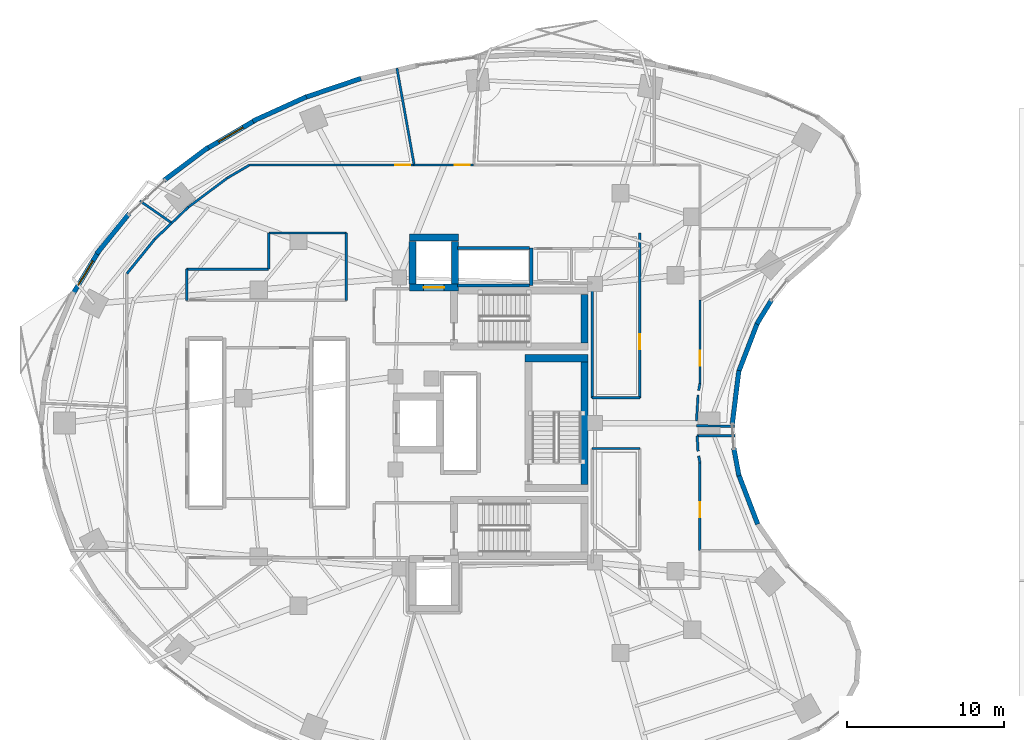
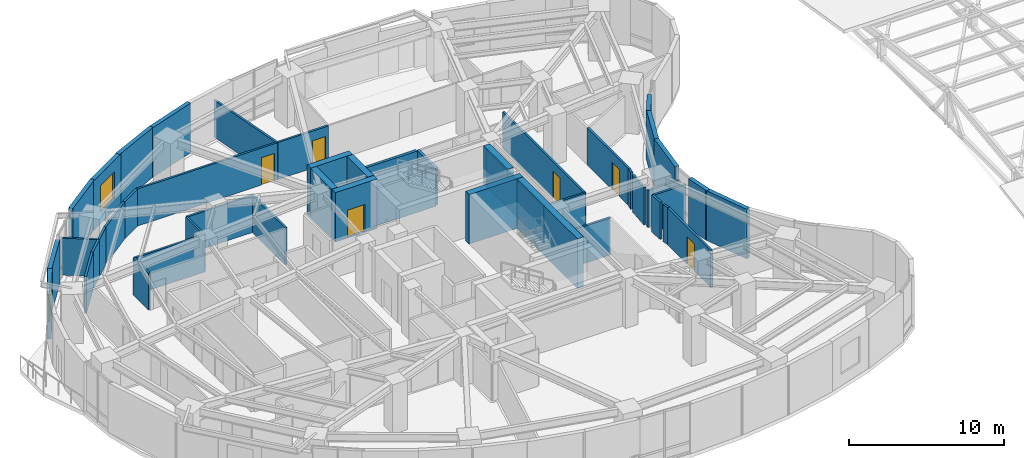
# One storey, part 13 of 17: 47 walls, 6 doors, 2 windows, 8 openings.
"""IFC4 building model written with IfcOpenShell, lengths in metres."""

from ifc_helpers import new_model, si_unit, direction, frame, frame_2d, origin, place, context, subcontext, project, spatial, rectangle, extrude, material, layer, layer_set, type_object, element, fill, save


model = new_model("IFC4")

# Units and contexts
model_context = context("Model", 3, precision=1e-05, world=origin(), true_north=direction((0.0, 1.0)))
body_context = subcontext(model_context, "Body", "Model", "MODEL_VIEW")
ifc_project = project(units=[si_unit("LENGTHUNIT", "METRE"), si_unit("AREAUNIT", "SQUARE_METRE"), si_unit("VOLUMEUNIT", "CUBIC_METRE"), si_unit("PLANEANGLEUNIT", "RADIAN"), si_unit("MASSUNIT", "GRAM", prefix="KILO")], contexts=[model_context])

# Site, building, storey
site_placement = place(None, origin())
site = spatial("IfcSite", under=ifc_project, at=site_placement, CompositionType="ELEMENT")
building_placement = place(site_placement, origin())
building = spatial("IfcBuilding", under=site, at=building_placement, Name="Korentha Bioscience Tower", CompositionType="ELEMENT")
storey_placement = place(building_placement, frame((0.0, 0.0, 25.800048828125)))
storey = spatial("IfcBuildingStorey", under=building, at=storey_placement, Name="L05", CompositionType="ELEMENT", Elevation=25.800048828125)

# Wall, opening, door
ifc_material_1 = material(Name="Double-Stud Acoustic Gypsum", Category="gypsum")
ifc_layer_1 = layer(ifc_material_1, 0.14990234375, Name="Double-Stud Acoustic Gypsum")
ifc_layer_set_1 = layer_set([ifc_layer_1], Name="Double-Stud Acoustic Gypsum (IW-L150)")
wall_type_1 = type_object("IfcWallType", Name="Acoustic Laboratory Partition Wall 150", PredefinedType="PARTITIONING", material=ifc_layer_set_1)
wall_1_placement = place(storey_placement, frame((44.2099609375, 29.529541015625, 0.0), z_axis=(0.0, 0.0, 1.0), x_axis=(0.0, 1.0, 0.0)))
wall_1 = element("IfcWall", 1, at=wall_1_placement, inside=storey, type_object=wall_type_1, Name="L05 Engineered Bio-Foundry Wet Lab 08 Entrance Wall", PredefinedType="PARTITIONING", context=body_context, shape_type="SweptSolid", body=[
    extrude(rectangle(XDim=5.2890625, YDim=0.14990234375, at=frame_2d((2.64453125, 0.0))), origin(), (0.0, 0.0, 1.0), 2.909912109375),
])
opening_1_placement = place(wall_1_placement, frame((1.11865234375, 0.0, 0.0)))
opening_1 = element("IfcOpeningElement", 2, at=opening_1_placement, cuts=wall_1, Name="Opening ID-10R", PredefinedType="OPENING", context=body_context, shape_type="SweptSolid", body=[
    extrude(rectangle(XDim=0.949951171875, YDim=2.14990234375, at=frame_2d((0.47509765625, 1.074951171875))), frame((0.0, 0.08984375, 0.0), z_axis=(0.0, -1.0, 0.0), x_axis=(1.0, 0.0, 0.0)), (0.0, 0.0, 1.0), 0.1796875),
])
ifc_material_2 = material(Name="Phenolic Laminate Timber Core", Category="wood")
door_type_1 = type_object("IfcDoorType", Name="Laboratory Single Leaf Door 950x2150 Right", OperationType="SINGLE_SWING_RIGHT", PredefinedType="DOOR", material=ifc_material_2)
door_1_placement = place(opening_1_placement, origin())
door_1 = element("IfcDoor", 3, at=door_1_placement, inside=storey, type_object=door_type_1, Name="L05 Engineered Bio-Foundry Wet Lab 08 Door", OperationType="SINGLE_SWING_RIGHT", OverallHeight=2.14990234375, OverallWidth=0.949951171875, PredefinedType="DOOR", context=body_context, shape_type="SweptSolid", body=[
    extrude(rectangle(XDim=0.949951171875, YDim=2.14990234375, at=frame_2d((0.47509765625, 1.074951171875))), frame((0.0, 0.02490234375, 0.0), z_axis=(0.0, -1.0, 0.0), x_axis=(1.0, 0.0, 0.0)), (0.0, 0.0, 1.0), 0.050048828125),
])
fill(opening_1, door_1)

wall_2_placement = place(storey_placement, frame((29.82568359375, 43.409912109375, 0.0), z_axis=(0.0, 0.0, 1.0), x_axis=(-1.0, 0.0, 0.0)))
wall_2 = element("IfcWall", 4, at=wall_2_placement, inside=storey, type_object=wall_type_1, Name="L05 Patent and Regulatory Affairs Office 13 Entrance Wall", PredefinedType="PARTITIONING", context=body_context, shape_type="SweptSolid", body=[
    extrude(rectangle(XDim=3.77734375, YDim=0.14990234375, at=frame_2d((1.888671875, 0.0))), origin(), (0.0, 0.0, 1.0), 2.909912109375),
])
opening_2_placement = place(wall_2_placement, frame((0.239990234375, 0.0, 0.0)))
opening_2 = element("IfcOpeningElement", 5, at=opening_2_placement, cuts=wall_2, Name="Opening ID-10L", PredefinedType="OPENING", context=body_context, shape_type="SweptSolid", body=[
    extrude(rectangle(XDim=0.949951171875, YDim=2.14990234375, at=frame_2d((0.47509765625, 1.074951171875))), frame((0.0, 0.08984375, 0.0), z_axis=(0.0, -1.0, 0.0), x_axis=(1.0, 0.0, 0.0)), (0.0, 0.0, 1.0), 0.1796875),
])
door_type_2 = type_object("IfcDoorType", Name="Laboratory Single Leaf Door 950x2150 Left", OperationType="SINGLE_SWING_LEFT", PredefinedType="DOOR", material=ifc_material_2)
door_2_placement = place(opening_2_placement, origin())
door_2 = element("IfcDoor", 6, at=door_2_placement, inside=storey, type_object=door_type_2, Name="L05 Patent and Regulatory Affairs Office 13 Door", OperationType="SINGLE_SWING_LEFT", OverallHeight=2.14990234375, OverallWidth=0.949951171875, PredefinedType="DOOR", context=body_context, shape_type="SweptSolid", body=[
    extrude(rectangle(XDim=0.949951171875, YDim=2.14990234375, at=frame_2d((0.47509765625, 1.074951171875))), frame((0.0, 0.02490234375, 0.0), z_axis=(0.0, -1.0, 0.0), x_axis=(1.0, 0.0, 0.0)), (0.0, 0.0, 1.0), 0.050048828125),
])
fill(opening_2, door_2)

wall_3_placement = place(storey_placement, frame((26.0380859375, 43.409912109375, 0.0), z_axis=(0.0, 0.0, 1.0), x_axis=(-1.0, 0.0, 0.0)))
wall_3 = element("IfcWall", 7, at=wall_3_placement, inside=storey, type_object=wall_type_1, Name="L05 Ethics and Biosafety Briefing Room 14 Entrance Wall", PredefinedType="PARTITIONING", context=body_context, shape_type="SweptSolid", body=[
    extrude(rectangle(XDim=10.447265625, YDim=0.14990234375, at=frame_2d((5.2236328125, 0.0))), origin(), (0.0, 0.0, 1.0), 2.909912109375),
])
opening_3_placement = place(wall_3_placement, frame((0.239990234375, 0.0, 0.0)))
opening_3 = element("IfcOpeningElement", 8, at=opening_3_placement, cuts=wall_3, Name="Opening ID-10R", PredefinedType="OPENING", context=body_context, shape_type="SweptSolid", body=[
    extrude(rectangle(XDim=0.949951171875, YDim=2.14990234375, at=frame_2d((0.47509765625, 1.074951171875))), frame((0.0, 0.08984375, 0.0), z_axis=(0.0, -1.0, 0.0), x_axis=(1.0, 0.0, 0.0)), (0.0, 0.0, 1.0), 0.1796875),
])
door_3_placement = place(opening_3_placement, origin())
door_3 = element("IfcDoor", 9, at=door_3_placement, inside=storey, type_object=door_type_1, Name="L05 Ethics and Biosafety Briefing Room 14 Door", OperationType="SINGLE_SWING_RIGHT", OverallHeight=2.14990234375, OverallWidth=0.949951171875, PredefinedType="DOOR", context=body_context, shape_type="SweptSolid", body=[
    extrude(rectangle(XDim=0.949951171875, YDim=2.14990234375, at=frame_2d((0.47509765625, 1.074951171875))), frame((0.0, 0.02490234375, 0.0), z_axis=(0.0, -1.0, 0.0), x_axis=(1.0, 0.0, 0.0)), (0.0, 0.0, 1.0), 0.050048828125),
])
fill(opening_3, door_3)

# Walls
wall_4_placement = place(storey_placement, frame((37.360107421875, 25.389892578125, 0.0), z_axis=(0.0, 0.0, 1.0), x_axis=(1.0, 0.0, 0.0)))
element("IfcWall", 10, at=wall_4_placement, inside=storey, type_object=wall_type_1, Name="L05 Interior Partition 042", PredefinedType="PARTITIONING", context=body_context, shape_type="SweptSolid", body=[
    extrude(rectangle(XDim=3.02978515625, YDim=0.14990234375, at=frame_2d((1.514892578125, 0.0))), origin(), (0.0, 0.0, 1.0), 2.909912109375),
])
wall_5_placement = place(storey_placement, frame((46.40673828125, 26.806396484375, 0.0), z_axis=(0.0, 0.0, 1.0), x_axis=(-0.999937073851, 0.011218214594, 0.0)))
element("IfcWall", 11, at=wall_5_placement, inside=storey, type_object=wall_type_1, Name="L05 Interior Partition 047", PredefinedType="PARTITIONING", context=body_context, shape_type="SweptSolid", body=[
    extrude(rectangle(XDim=2.415771484375, YDim=0.14990234375, at=frame_2d((1.2080078125, 0.0))), origin(), (0.0, 0.0, 1.0), 2.909912109375),
])
wall_6_placement = place(storey_placement, frame((43.990234375, 27.1484375, 0.0), z_axis=(0.0, 0.0, 1.0), x_axis=(0.060976688407, 0.998139190429, 0.0)))
element("IfcWall", 12, at=wall_6_placement, inside=storey, type_object=wall_type_1, Name="L05 Interior Partition 048", PredefinedType="PARTITIONING", context=body_context, shape_type="SweptSolid", body=[
    extrude(rectangle(XDim=1.637451171875, YDim=0.14990234375, at=frame_2d((0.81884765625, 0.0))), origin(), (0.0, 0.0, 1.0), 2.909912109375),
])
wall_7_placement = place(storey_placement, frame((44.12646484375, 29.077880859375, 0.0), z_axis=(0.0, 0.0, 1.0), x_axis=(0.181936414242, 0.983310297502, 0.0)))
element("IfcWall", 13, at=wall_7_placement, inside=storey, type_object=wall_type_1, Name="L05 Interior Partition 049", PredefinedType="PARTITIONING", context=body_context, shape_type="SweptSolid", body=[
    extrude(rectangle(XDim=0.45751953125, YDim=0.14990234375, at=frame_2d((0.228759765625, 0.0))), origin(), (0.0, 0.0, 1.0), 2.909912109375),
])
wall_8_placement = place(storey_placement, frame((26.04833984375, 43.409912109375, 0.0), z_axis=(0.0, 0.0, 1.0), x_axis=(-0.175605435055, 0.984460629573, 0.0)))
element("IfcWall", 14, at=wall_8_placement, inside=storey, type_object=wall_type_1, Name="L05 Interior Partition 061", PredefinedType="PARTITIONING", context=body_context, shape_type="SweptSolid", body=[
    extrude(rectangle(XDim=6.250732421875, YDim=0.14990234375, at=frame_2d((3.12548828125, 0.0))), origin(), (0.0, 0.0, 1.0), 2.909912109375),
])
wall_9_placement = place(storey_placement, frame((15.585693359375, 43.40869140625, 0.0), z_axis=(0.0, 0.0, 1.0), x_axis=(-0.862446636904, -0.506148000582, 0.0)))
element("IfcWall", 15, at=wall_9_placement, inside=storey, type_object=wall_type_1, Name="L05 Interior Partition 062", PredefinedType="PARTITIONING", context=body_context, shape_type="SweptSolid", body=[
    extrude(rectangle(XDim=1.652099609375, YDim=0.14990234375, at=frame_2d((0.826171875, 0.0))), origin(), (0.0, 0.0, 1.0), 2.909912109375),
])
wall_10_placement = place(storey_placement, frame((14.159912109375, 42.57177734375, 0.0), z_axis=(0.0, 0.0, 1.0), x_axis=(-0.800808090092, -0.598921032227, 0.0)))
element("IfcWall", 16, at=wall_10_placement, inside=storey, type_object=wall_type_1, Name="L05 Interior Partition 063", PredefinedType="PARTITIONING", context=body_context, shape_type="SweptSolid", body=[
    extrude(rectangle(XDim=3.078857421875, YDim=0.14990234375, at=frame_2d((1.53955078125, 0.0))), origin(), (0.0, 0.0, 1.0), 2.909912109375),
])
wall_11_placement = place(storey_placement, frame((11.693359375, 40.72705078125, 0.0), z_axis=(0.0, 0.0, 1.0), x_axis=(-0.723614682185, -0.690204166697, 0.0)))
element("IfcWall", 17, at=wall_11_placement, inside=storey, type_object=wall_type_1, Name="L05 Interior Partition 064", PredefinedType="PARTITIONING", context=body_context, shape_type="SweptSolid", body=[
    extrude(rectangle(XDim=1.4541015625, YDim=0.14990234375, at=frame_2d((0.72705078125, 0.0))), origin(), (0.0, 0.0, 1.0), 2.909912109375),
])
wall_12_placement = place(storey_placement, frame((10.64111328125, 39.723388671875, 0.0), z_axis=(0.0, 0.0, 1.0), x_axis=(-0.821561492386, 0.570119912149, 0.0)))
element("IfcWall", 18, at=wall_12_placement, inside=storey, type_object=wall_type_1, Name="L05 Interior Partition 065", PredefinedType="PARTITIONING", context=body_context, shape_type="SweptSolid", body=[
    extrude(rectangle(XDim=2.45458984375, YDim=0.14990234375, at=frame_2d((1.227294921875, 0.0))), origin(), (0.0, 0.0, 1.0), 2.909912109375),
])
wall_13_placement = place(storey_placement, frame((16.81005859375, 39.090087890625, 0.0), z_axis=(0.0, 0.0, 1.0), x_axis=(1.0, 0.0, 0.0)))
element("IfcWall", 19, at=wall_13_placement, inside=storey, type_object=wall_type_1, Name="L05 Interior Partition 066", PredefinedType="PARTITIONING", context=body_context, shape_type="SweptSolid", body=[
    extrude(rectangle(XDim=4.929931640625, YDim=0.14990234375, at=frame_2d((2.46484375, 0.0))), origin(), (0.0, 0.0, 1.0), 2.909912109375),
])
wall_14_placement = place(storey_placement, frame((21.739990234375, 39.090087890625, 0.0), z_axis=(0.0, 0.0, 1.0), x_axis=(0.0, -1.0, 0.0)))
element("IfcWall", 20, at=wall_14_placement, inside=storey, type_object=wall_type_1, Name="L05 Interior Partition 067", PredefinedType="PARTITIONING", context=body_context, shape_type="SweptSolid", body=[
    extrude(rectangle(XDim=4.280029296875, YDim=0.14990234375, at=frame_2d((2.14013671875, 0.0))), origin(), (0.0, 0.0, 1.0), 2.909912109375),
])
wall_15_placement = place(storey_placement, frame((11.590087890625, 34.81005859375, 0.0), z_axis=(0.0, 0.0, 1.0), x_axis=(0.0, 1.0, 0.0)))
element("IfcWall", 21, at=wall_15_placement, inside=storey, type_object=wall_type_1, Name="L05 Interior Partition 068", PredefinedType="PARTITIONING", context=body_context, shape_type="SweptSolid", body=[
    extrude(rectangle(XDim=1.97998046875, YDim=0.14990234375, at=frame_2d((0.989990234375, 0.0))), origin(), (0.0, 0.0, 1.0), 2.909912109375),
])
wall_16_placement = place(storey_placement, frame((11.590087890625, 36.7900390625, 0.0), z_axis=(0.0, 0.0, 1.0), x_axis=(1.0, 0.0, 0.0)))
element("IfcWall", 22, at=wall_16_placement, inside=storey, type_object=wall_type_1, Name="L05 Interior Partition 069", PredefinedType="PARTITIONING", context=body_context, shape_type="SweptSolid", body=[
    extrude(rectangle(XDim=5.2099609375, YDim=0.14990234375, at=frame_2d((2.60498046875, 0.0))), origin(), (0.0, 0.0, 1.0), 2.909912109375),
])
wall_17_placement = place(storey_placement, frame((16.81005859375, 36.800048828125, 0.0), z_axis=(0.0, 0.0, 1.0), x_axis=(0.0, 1.0, 0.0)))
element("IfcWall", 23, at=wall_17_placement, inside=storey, type_object=wall_type_1, Name="L05 Interior Partition 070", PredefinedType="PARTITIONING", context=body_context, shape_type="SweptSolid", body=[
    extrude(rectangle(XDim=2.2900390625, YDim=0.14990234375, at=frame_2d((1.14501953125, 0.0))), origin(), (0.0, 0.0, 1.0), 2.909912109375),
])

# Wall, opening, door
ifc_material_3 = material(Name="Insulated Aluminium Honeycomb Panel", Category="aluminium")
ifc_layer_2 = layer(ifc_material_3, 0.139892578125, Name="Insulated Aluminium Honeycomb Panel")
ifc_layer_set_2 = layer_set([ifc_layer_2], Name="Insulated Aluminium Honeycomb Panel (IW-F60)")
wall_type_2 = type_object("IfcWallType", Name="Cleanroom Flush Metal Panel Partition 140", PredefinedType="PARTITIONING", material=ifc_layer_set_2)
wall_18_placement = place(storey_placement, frame((40.389892578125, 39.090087890625, 0.0), z_axis=(0.0, 0.0, 1.0), x_axis=(0.0, -1.0, 0.0)))
wall_18 = element("IfcWall", 24, at=wall_18_placement, inside=storey, type_object=wall_type_2, Name="L05 Microfluidics Biochip Cleanroom 10 Entrance Wall", PredefinedType="PARTITIONING", context=body_context, shape_type="SweptSolid", body=[
    extrude(rectangle(XDim=10.47998046875, YDim=0.139892578125, at=frame_2d((5.239990234375, 0.0))), origin(), (0.0, 0.0, 1.0), 2.909912109375),
])
opening_4_placement = place(wall_18_placement, frame((6.447265625, 0.0, 0.0)))
opening_4 = element("IfcOpeningElement", 25, at=opening_4_placement, cuts=wall_18, Name="Opening ID-10R", PredefinedType="OPENING", context=body_context, shape_type="SweptSolid", body=[
    extrude(rectangle(XDim=0.949951171875, YDim=2.14990234375, at=frame_2d((0.47509765625, 1.074951171875))), frame((0.0, 0.0849609375, 0.0), z_axis=(0.0, -1.0, 0.0), x_axis=(1.0, 0.0, 0.0)), (0.0, 0.0, 1.0), 0.169677734375),
])
door_4_placement = place(opening_4_placement, origin())
door_4 = element("IfcDoor", 26, at=door_4_placement, inside=storey, type_object=door_type_1, Name="L05 Microfluidics Biochip Cleanroom 10 Door", OperationType="SINGLE_SWING_RIGHT", OverallHeight=2.14990234375, OverallWidth=0.949951171875, PredefinedType="DOOR", context=body_context, shape_type="SweptSolid", body=[
    extrude(rectangle(XDim=0.949951171875, YDim=2.14990234375, at=frame_2d((0.47509765625, 1.074951171875))), frame((0.0, 0.02490234375, 0.0), z_axis=(0.0, -1.0, 0.0), x_axis=(1.0, 0.0, 0.0)), (0.0, 0.0, 1.0), 0.050048828125),
])
fill(opening_4, door_4)

# Walls
wall_19_placement = place(storey_placement, frame((40.389892578125, 28.610107421875, 0.0), z_axis=(0.0, 0.0, 1.0), x_axis=(-1.0, 0.0, 0.0)))
element("IfcWall", 27, at=wall_19_placement, inside=storey, type_object=wall_type_2, Name="L05 Interior Partition 055", PredefinedType="PARTITIONING", context=body_context, shape_type="SweptSolid", body=[
    extrude(rectangle(XDim=3.02978515625, YDim=0.139892578125, at=frame_2d((1.514892578125, 0.0))), origin(), (0.0, 0.0, 1.0), 2.909912109375),
])
wall_20_placement = place(storey_placement, frame((37.360107421875, 28.610107421875, 0.0), z_axis=(0.0, 0.0, 1.0), x_axis=(0.0, 1.0, 0.0)))
element("IfcWall", 28, at=wall_20_placement, inside=storey, type_object=wall_type_2, Name="L05 Interior Partition 056", PredefinedType="PARTITIONING", context=body_context, shape_type="SweptSolid", body=[
    extrude(rectangle(XDim=7.289794921875, YDim=0.139892578125, at=frame_2d((3.64501953125, 0.0))), origin(), (0.0, 0.0, 1.0), 2.909912109375),
])

# Wall, opening, door
ifc_material_4 = material(Name="Gypsum-Clad Steel Stud", Category="steel")
ifc_layer_3 = layer(ifc_material_4, 0.159912109375, Name="Gypsum-Clad Steel Stud")
ifc_layer_set_3 = layer_set([ifc_layer_3], Name="Gypsum-Clad Steel Stud (IW-C160)")
wall_type_3 = type_object("IfcWallType", Name="Fire-Rated Corridor Partition Wall 160", PredefinedType="PARTITIONING", material=ifc_layer_set_3)
wall_21_placement = place(storey_placement, frame((44.2099609375, 18.907958984375, 0.0), z_axis=(0.0, 0.0, 1.0), x_axis=(0.0, 1.0, 0.0)))
wall_21 = element("IfcWall", 29, at=wall_21_placement, inside=storey, type_object=wall_type_3, Name="L05 Instrument Calibration Workshop 07 Entrance Wall", PredefinedType="PARTITIONING", context=body_context, shape_type="SweptSolid", body=[
    extrude(rectangle(XDim=5.5625, YDim=0.159912109375, at=frame_2d((2.78125, 0.0))), origin(), (0.0, 0.0, 1.0), 2.909912109375),
])
opening_5_placement = place(wall_21_placement, frame((2.11376953125, 0.0, 0.0)))
opening_5 = element("IfcOpeningElement", 30, at=opening_5_placement, cuts=wall_21, Name="Opening ID-10L", PredefinedType="OPENING", context=body_context, shape_type="SweptSolid", body=[
    extrude(rectangle(XDim=0.949951171875, YDim=2.14990234375, at=frame_2d((0.47509765625, 1.074951171875))), frame((0.0, 0.0947265625, 0.0), z_axis=(0.0, -1.0, 0.0), x_axis=(1.0, 0.0, 0.0)), (0.0, 0.0, 1.0), 0.189697265625),
])
door_5_placement = place(opening_5_placement, origin())
door_5 = element("IfcDoor", 31, at=door_5_placement, inside=storey, type_object=door_type_2, Name="L05 Instrument Calibration Workshop 07 Door", OperationType="SINGLE_SWING_LEFT", OverallHeight=2.14990234375, OverallWidth=0.949951171875, PredefinedType="DOOR", context=body_context, shape_type="SweptSolid", body=[
    extrude(rectangle(XDim=0.949951171875, YDim=2.14990234375, at=frame_2d((0.47509765625, 1.074951171875))), frame((0.0, 0.02490234375, 0.0), z_axis=(0.0, -1.0, 0.0), x_axis=(1.0, 0.0, 0.0)), (0.0, 0.0, 1.0), 0.050048828125),
])
fill(opening_5, door_5)

# Walls
wall_22_placement = place(storey_placement, frame((44.209716796875, 24.47216796875, 0.0), z_axis=(0.0, 0.0, 1.0), x_axis=(-0.181936414242, 0.983310297502, 0.0)))
element("IfcWall", 32, at=wall_22_placement, inside=storey, type_object=wall_type_3, Name="L05 Interior Partition 044", PredefinedType="PARTITIONING", context=body_context, shape_type="SweptSolid", body=[
    extrude(rectangle(XDim=0.45751953125, YDim=0.159912109375, at=frame_2d((0.228759765625, 0.0))), origin(), (0.0, 0.0, 1.0), 2.909912109375),
])
wall_23_placement = place(storey_placement, frame((44.090087890625, 25.217041015625, 0.0), z_axis=(0.0, 0.0, 1.0), x_axis=(-0.060862570451, 0.998146155389, 0.0)))
element("IfcWall", 33, at=wall_23_placement, inside=storey, type_object=wall_type_3, Name="L05 Interior Partition 045", PredefinedType="PARTITIONING", context=body_context, shape_type="SweptSolid", body=[
    extrude(rectangle(XDim=0.982666015625, YDim=0.159912109375, at=frame_2d((0.4912109375, 0.0))), origin(), (0.0, 0.0, 1.0), 2.909912109375),
])
wall_24_placement = place(storey_placement, frame((44.0302734375, 26.197998046875, 0.0), z_axis=(0.0, 0.0, 1.0), x_axis=(1.0, 0.0, 0.0)))
element("IfcWall", 34, at=wall_24_placement, inside=storey, type_object=wall_type_3, Name="L05 Interior Partition 046", PredefinedType="PARTITIONING", context=body_context, shape_type="SweptSolid", body=[
    extrude(rectangle(XDim=2.413818359375, YDim=0.159912109375, at=frame_2d((1.20703125, 0.0))), origin(), (0.0, 0.0, 1.0), 2.909912109375),
])
wall_25_placement = place(storey_placement, frame((10.6337890625, 39.716552734375, 0.0), z_axis=(0.0, 0.0, 1.0), x_axis=(-0.723701031319, -0.690113626345, 0.0)))
element("IfcWall", 35, at=wall_25_placement, inside=storey, type_object=wall_type_3, Name="L05 Interior Partition 071", PredefinedType="PARTITIONING", context=body_context, shape_type="SweptSolid", body=[
    extrude(rectangle(XDim=1.4755859375, YDim=0.159912109375, at=frame_2d((0.73779296875, 0.0))), origin(), (0.0, 0.0, 1.0), 2.909912109375),
])
wall_26_placement = place(storey_placement, frame((9.565185546875, 38.697265625, 0.0), z_axis=(0.0, 0.0, 1.0), x_axis=(-0.629270515505, -0.777186347227, 0.0)))
element("IfcWall", 36, at=wall_26_placement, inside=storey, type_object=wall_type_3, Name="L05 Interior Partition 072", PredefinedType="PARTITIONING", context=body_context, shape_type="SweptSolid", body=[
    extrude(rectangle(XDim=2.8173828125, YDim=0.159912109375, at=frame_2d((1.40869140625, 0.0))), origin(), (0.0, 0.0, 1.0), 2.909912109375),
])

# Wall, opening, window
ifc_material_5 = material(Name="Honed Limestone Precast Concrete C40", Category="masonry")
ifc_layer_4 = layer(ifc_material_5, 0.300048828125, Name="Honed Limestone Precast Concrete C40")
ifc_layer_set_4 = layer_set([ifc_layer_4], Name="Honed Limestone Precast Concrete C40 (EW-ST300)")
wall_type_4 = type_object("IfcWallType", Name="Honed Limestone Cavity Spandrel Wall 300", PredefinedType="STANDARD", material=ifc_layer_set_4)
wall_27_placement = place(storey_placement, frame((15.943603515625, 46.25048828125, 0.0), z_axis=(0.0, 0.0, 1.0), x_axis=(-0.862473134325, -0.506102847817, 0.0)))
wall_27 = element("IfcWall", 37, at=wall_27_placement, inside=storey, type_object=wall_type_4, Name="L05 Honed Limestone Spandrel Wall 11", PredefinedType="STANDARD", context=body_context, shape_type="SweptSolid", body=[
    extrude(rectangle(XDim=3.59521484375, YDim=0.300048828125, at=frame_2d((1.797607421875, 0.0))), origin(), (0.0, 0.0, 1.0), 3.89990234375),
])
opening_6_placement = place(wall_27_placement, frame((0.897705078125, 0.0, 0.89990234375)))
opening_6 = element("IfcOpeningElement", 38, at=opening_6_placement, cuts=wall_27, Name="Opening WN-01", PredefinedType="OPENING", context=body_context, shape_type="SweptSolid", body=[
    extrude(rectangle(XDim=1.800048828125, YDim=2.10009765625, at=frame_2d((0.89990234375, 1.050048828125))), frame((0.0, 0.1650390625, 0.0), z_axis=(0.0, -1.0, 0.0), x_axis=(1.0, 0.0, 0.0)), (0.0, 0.0, 1.0), 0.329833984375),
])
ifc_material_6 = material(Name="Thermally Broken Aluminium Triple Glazing", Category="aluminium")
window_type = type_object("IfcWindowType", Name="Triple-Glazed Fixed Bioscience Window 1800x2100", PartitioningType="SINGLE_PANEL", PredefinedType="WINDOW", material=ifc_material_6)
window_1_placement = place(opening_6_placement, origin())
window_1 = element("IfcWindow", 39, at=window_1_placement, inside=storey, type_object=window_type, Name="L05 Facade Window 11", OverallHeight=2.10009765625, OverallWidth=1.800048828125, PartitioningType="SINGLE_PANEL", PredefinedType="WINDOW", context=body_context, shape_type="SweptSolid", body=[
    extrude(rectangle(XDim=1.800048828125, YDim=2.10009765625, at=frame_2d((0.89990234375, 1.050048828125))), frame((0.0, 0.030029296875, 0.0), z_axis=(0.0, -1.0, 0.0), x_axis=(1.0, 0.0, 0.0)), (0.0, 0.0, 1.0), 0.06005859375),
])
fill(opening_6, window_1)

wall_28_placement = place(storey_placement, frame((5.975341796875, 37.886474609375, 0.0), z_axis=(0.0, 0.0, 1.0), x_axis=(-0.516447962267, -0.856318575222, 0.0)))
wall_28 = element("IfcWall", 40, at=wall_28_placement, inside=storey, type_object=wall_type_4, Name="L05 Honed Limestone Spandrel Wall 15", PredefinedType="STANDARD", context=body_context, shape_type="SweptSolid", body=[
    extrude(rectangle(XDim=3.142822265625, YDim=0.300048828125, at=frame_2d((1.5712890625, 0.0))), origin(), (0.0, 0.0, 1.0), 3.469970703125),
])
opening_7_placement = place(wall_28_placement, frame((0.67138671875, 0.0, 0.89990234375)))
opening_7 = element("IfcOpeningElement", 41, at=opening_7_placement, cuts=wall_28, Name="Opening WN-01", PredefinedType="OPENING", context=body_context, shape_type="SweptSolid", body=[
    extrude(rectangle(XDim=1.800048828125, YDim=2.10009765625, at=frame_2d((0.89990234375, 1.050048828125))), frame((0.0, 0.1650390625, 0.0), z_axis=(0.0, -1.0, 0.0), x_axis=(1.0, 0.0, 0.0)), (0.0, 0.0, 1.0), 0.329833984375),
])
window_2_placement = place(opening_7_placement, origin())
window_2 = element("IfcWindow", 42, at=window_2_placement, inside=storey, type_object=window_type, Name="L05 Facade Window 15", OverallHeight=2.10009765625, OverallWidth=1.800048828125, PartitioningType="SINGLE_PANEL", PredefinedType="WINDOW", context=body_context, shape_type="SweptSolid", body=[
    extrude(rectangle(XDim=1.800048828125, YDim=2.10009765625, at=frame_2d((0.89990234375, 1.050048828125))), frame((0.0, 0.030029296875, 0.0), z_axis=(0.0, -1.0, 0.0), x_axis=(1.0, 0.0, 0.0)), (0.0, 0.0, 1.0), 0.06005859375),
])
fill(opening_7, window_2)

# Walls
wall_29_placement = place(storey_placement, frame((22.6669921875, 48.9091796875, 0.0), z_axis=(0.0, 0.0, 1.0), x_axis=(-0.94702579403, -0.321157508773, 0.0)))
element("IfcWall", 43, at=wall_29_placement, inside=storey, type_object=wall_type_4, Name="L05 Limestone Perimeter Closure Wall 09", PredefinedType="STANDARD", context=body_context, shape_type="SweptSolid", body=[
    extrude(rectangle(XDim=3.829833984375, YDim=0.300048828125, at=frame_2d((1.9150390625, 0.0))), origin(), (0.0, 0.0, 1.0), 3.89990234375),
])
wall_30_placement = place(storey_placement, frame((19.201416015625, 47.7431640625, 0.0), z_axis=(0.0, 0.0, 1.0), x_axis=(-0.910623406862, -0.413237233166, 0.0)))
element("IfcWall", 44, at=wall_30_placement, inside=storey, type_object=wall_type_4, Name="L05 Limestone Perimeter Closure Wall 10", PredefinedType="STANDARD", context=body_context, shape_type="SweptSolid", body=[
    extrude(rectangle(XDim=3.73974609375, YDim=0.300048828125, at=frame_2d((1.869873046875, 0.0))), origin(), (0.0, 0.0, 1.0), 3.89990234375),
])
wall_31_placement = place(storey_placement, frame((12.96142578125, 44.53515625, 0.0), z_axis=(0.0, 0.0, 1.0), x_axis=(-0.800823020995, -0.598901067827, 0.0)))
element("IfcWall", 45, at=wall_31_placement, inside=storey, type_object=wall_type_4, Name="L05 Limestone Perimeter Closure Wall 12", PredefinedType="STANDARD", context=body_context, shape_type="SweptSolid", body=[
    extrude(rectangle(XDim=3.520751953125, YDim=0.300048828125, at=frame_2d((1.76025390625, 0.0))), origin(), (0.0, 0.0, 1.0), 3.89990234375),
])
wall_32_placement = place(storey_placement, frame((7.934326171875, 40.322509765625, 0.0), z_axis=(0.0, 0.0, 1.0), x_axis=(-0.629221727718, -0.777225847079, 0.0)))
element("IfcWall", 46, at=wall_32_placement, inside=storey, type_object=wall_type_4, Name="L05 Limestone Perimeter Closure Wall 14", PredefinedType="STANDARD", context=body_context, shape_type="SweptSolid", body=[
    extrude(rectangle(XDim=3.28759765625, YDim=0.300048828125, at=frame_2d((1.643798828125, 0.0))), origin(), (0.0, 0.0, 1.0), 3.469970703125),
])
wall_33_placement = place(storey_placement, frame((47.8837890625, 20.577392578125, 0.0), z_axis=(0.0, 0.0, 1.0), x_axis=(-0.358344570513, 0.933589400531, 0.0)))
element("IfcWall", 47, at=wall_33_placement, inside=storey, type_object=wall_type_4, Name="L05 Limestone Perimeter Closure Wall 46", PredefinedType="STANDARD", context=body_context, shape_type="SweptSolid", body=[
    extrude(rectangle(XDim=3.4296875, YDim=0.300048828125, at=frame_2d((1.71484375, 0.0))), origin(), (0.0, 0.0, 1.0), 3.89990234375),
])
wall_34_placement = place(storey_placement, frame((46.691162109375, 23.650390625, 0.0), z_axis=(0.0, 0.0, 1.0), x_axis=(-0.182230271073, 0.983255881399, 0.0)))
element("IfcWall", 48, at=wall_34_placement, inside=storey, type_object=wall_type_4, Name="L05 Limestone Perimeter Closure Wall 48", PredefinedType="STANDARD", context=body_context, shape_type="SweptSolid", body=[
    extrude(rectangle(XDim=1.7978515625, YDim=0.300048828125, at=frame_2d((0.89892578125, 0.0))), origin(), (0.0, 0.0, 1.0), 3.89990234375),
])
for number, where, z_axis, x_axis, name in (
    (49, (46.26708984375, 26.937744140625, 0.0), (0.0, 0.0, 1.0), (0.121870386032, 0.992546023622, 0.0), "L05 Limestone Perimeter Closure Wall 50"),
    (50, (46.65478515625, 30.220703125, 0.0), (0.0, 0.0, 1.0), (0.358344570513, 0.933589400531, 0.0), "L05 Limestone Perimeter Closure Wall 52"),
):
    element("IfcWall", number, at=place(storey_placement, frame(where, z_axis=z_axis, x_axis=x_axis)), inside=storey, type_object=wall_type_4, Name=name, PredefinedType="STANDARD", context=body_context, shape_type="SweptSolid", body=[
        extrude(rectangle(XDim=3.4296875, YDim=0.300048828125, at=frame_2d((1.71484375, 0.0))), origin(), (0.0, 0.0, 1.0), 3.89990234375),
    ])
wall_35_placement = place(storey_placement, frame((47.82470703125, 33.302734375, 0.0), z_axis=(0.0, 0.0, 1.0), x_axis=(0.522520662875, 0.852626622191, 0.0)))
element("IfcWall", 51, at=wall_35_placement, inside=storey, type_object=wall_type_4, Name="L05 Limestone Perimeter Closure Wall 54", PredefinedType="STANDARD", context=body_context, shape_type="SweptSolid", body=[
    extrude(rectangle(XDim=1.7978515625, YDim=0.300048828125, at=frame_2d((0.89892578125, 0.0))), origin(), (0.0, 0.0, 1.0), 3.89990234375),
])
ifc_material_7 = material(Name="Autoclaved Aerated Concrete Block C25", Category="concrete")
ifc_layer_5 = layer(ifc_material_7, 0.199951171875, Name="Autoclaved Aerated Concrete Block C25")
ifc_layer_set_5 = layer_set([ifc_layer_5], Name="Autoclaved Aerated Concrete Block C25 (IW-S200)")
wall_type_5 = type_object("IfcWallType", Name="Lift and Riser Shaft Enclosure Wall 200", PredefinedType="PARTITIONING", material=ifc_layer_set_5)
wall_36_placement = place(storey_placement, frame((33.489990234375, 35.760009765625, 0.0), z_axis=(0.0, 0.0, 1.0), x_axis=(0.0, 1.0, 0.0)))
element("IfcWall", 52, at=wall_36_placement, inside=storey, type_object=wall_type_5, Name="L05 Lift Bank OBS Shaft Wall +X", PredefinedType="PARTITIONING", context=body_context, shape_type="SweptSolid", body=[
    extrude(rectangle(XDim=2.3798828125, YDim=0.199951171875, at=frame_2d((1.18994140625, 0.0))), origin(), (0.0, 0.0, 1.0), 2.909912109375),
])
for number, where, z_axis, x_axis, name in (
    (53, (28.800048828125, 35.760009765625, 0.0), (0.0, 0.0, 1.0), (1.0, 0.0, 0.0), "L05 Lift Bank OBS Shaft Wall -Y"),
    (54, (28.800048828125, 38.139892578125, 0.0), (0.0, 0.0, 1.0), (1.0, 0.0, 0.0), "L05 Lift Bank OBS Shaft Wall +Y"),
):
    element("IfcWall", number, at=place(storey_placement, frame(where, z_axis=z_axis, x_axis=x_axis)), inside=storey, type_object=wall_type_5, Name=name, PredefinedType="PARTITIONING", context=body_context, shape_type="SweptSolid", body=[
        extrude(rectangle(XDim=4.570068359375, YDim=0.199951171875, at=frame_2d((2.28515625, 0.0))), origin(), (0.0, 0.0, 1.0), 2.909912109375),
    ])
ifc_material_8 = material(Name="Concrete C80", Category="concrete")
ifc_layer_6 = layer(ifc_material_8, 0.449951171875, Name="Concrete C80")
ifc_layer_set_6 = layer_set([ifc_layer_6], Name="Concrete C80 (CW-C80)")
wall_type_6 = type_object("IfcWallType", Name="Lower Core Shear Wall 450", PredefinedType="SHEAR", material=ifc_layer_set_6)
wall_37_placement = place(storey_placement, frame((36.875, 32.110107421875, 0.0), z_axis=(0.0, 0.0, 1.0), x_axis=(0.0, 1.0, 0.0)))
element("IfcWall", 55, at=wall_37_placement, inside=storey, type_object=wall_type_6, Name="L05 Core Shear Wall ST1-E", PredefinedType="SHEAR", context=body_context, shape_type="SweptSolid", body=[
    extrude(rectangle(XDim=3.079833984375, YDim=0.449951171875, at=frame_2d((1.5400390625, 0.0))), origin(), (0.0, 0.0, 1.0), 3.89990234375),
])
wall_38_placement = place(storey_placement, frame((33.10009765625, 31.125, 0.0), z_axis=(0.0, 0.0, 1.0), x_axis=(1.0, 0.0, 0.0)))
element("IfcWall", 56, at=wall_38_placement, inside=storey, type_object=wall_type_6, Name="L05 Core Shear Wall ST3-N", PredefinedType="SHEAR", context=body_context, shape_type="SweptSolid", body=[
    extrude(rectangle(XDim=4.0, YDim=0.449951171875, at=frame_2d((2.0, 0.0))), origin(), (0.0, 0.0, 1.0), 3.89990234375),
])
wall_39_placement = place(storey_placement, frame((36.875, 23.110107421875, 0.0), z_axis=(0.0, 0.0, 1.0), x_axis=(0.0, 1.0, 0.0)))
element("IfcWall", 57, at=wall_39_placement, inside=storey, type_object=wall_type_6, Name="L05 Core Shear Wall ST3-E", PredefinedType="SHEAR", context=body_context, shape_type="SweptSolid", body=[
    extrude(rectangle(XDim=7.77978515625, YDim=0.449951171875, at=frame_2d((3.889892578125, 0.0))), origin(), (0.0, 0.0, 1.0), 3.89990234375),
])
wall_40_placement = place(storey_placement, frame((25.75, 38.800048828125, 0.0), z_axis=(0.0, 0.0, 1.0), x_axis=(1.0, 0.0, 0.0)))
element("IfcWall", 58, at=wall_40_placement, inside=storey, type_object=wall_type_6, Name="L05 Core Shear Wall FFL2-N", PredefinedType="SHEAR", context=body_context, shape_type="SweptSolid", body=[
    extrude(rectangle(XDim=3.10009765625, YDim=0.449951171875, at=frame_2d((1.550048828125, 0.0))), origin(), (0.0, 0.0, 1.0), 3.89990234375),
])

# Wall, opening, door
wall_41_placement = place(storey_placement, frame((25.75, 35.6201171875, 0.0), z_axis=(0.0, 0.0, 1.0), x_axis=(1.0, 0.0, 0.0)))
wall_41 = element("IfcWall", 59, at=wall_41_placement, inside=storey, type_object=wall_type_6, Name="L05 Core Shear Wall FFL2-S", PredefinedType="SHEAR", context=body_context, shape_type="SweptSolid", body=[
    extrude(rectangle(XDim=3.10009765625, YDim=0.449951171875, at=frame_2d((1.550048828125, 0.0))), origin(), (0.0, 0.0, 1.0), 3.89990234375),
])
opening_8_placement = place(wall_41_placement, frame((0.89990234375, 0.0, 0.0)))
opening_8 = element("IfcOpeningElement", 60, at=opening_8_placement, cuts=wall_41, Name="Opening LD-13", PredefinedType="OPENING", context=body_context, shape_type="SweptSolid", body=[
    extrude(rectangle(XDim=1.300048828125, YDim=2.199951171875, at=frame_2d((0.64990234375, 1.10009765625))), frame((0.0, 0.23974609375, 0.0), z_axis=(0.0, -1.0, 0.0), x_axis=(1.0, 0.0, 0.0)), (0.0, 0.0, 1.0), 0.479736328125),
])
ifc_material_9 = material(Name="Brushed Stainless Steel 316", Category="steel")
door_type_3 = type_object("IfcDoorType", Name="Service & Firefighting Lift Landing Door 1300x2300", OperationType="DOUBLE_DOOR_SLIDING", PredefinedType="DOOR", material=ifc_material_9)
door_6_placement = place(opening_8_placement, origin())
door_6 = element("IfcDoor", 61, at=door_6_placement, inside=storey, type_object=door_type_3, Name="L05 FFL-2 Sliding Lift Landing Door", OperationType="DOUBLE_DOOR_SLIDING", OverallHeight=2.199951171875, OverallWidth=1.300048828125, PredefinedType="DOOR", context=body_context, shape_type="SweptSolid", body=[
    extrude(rectangle(XDim=1.300048828125, YDim=2.199951171875, at=frame_2d((0.64990234375, 1.10009765625))), frame((0.0, 0.02490234375, 0.0), z_axis=(0.0, -1.0, 0.0), x_axis=(1.0, 0.0, 0.0)), (0.0, 0.0, 1.0), 0.050048828125),
])
fill(opening_8, door_6)

# Walls
for number, where, z_axis, x_axis, name in (
    (62, (25.949951171875, 35.860107421875, 0.0), (0.0, 0.0, 1.0), (0.0, 1.0, 0.0), "L05 Core Shear Wall FFL2-W"),
    (63, (28.64990234375, 35.860107421875, 0.0), (0.0, 0.0, 1.0), (0.0, 1.0, 0.0), "L05 Core Shear Wall FFL2-E"),
):
    element("IfcWall", number, at=place(storey_placement, frame(where, z_axis=z_axis, x_axis=x_axis)), inside=storey, type_object=wall_type_6, Name=name, PredefinedType="SHEAR", context=body_context, shape_type="SweptSolid", body=[
        extrude(rectangle(XDim=2.699951171875, YDim=0.449951171875, at=frame_2d((1.35009765625, 0.0))), origin(), (0.0, 0.0, 1.0), 3.89990234375),
    ])

save(model, "model.ifc")
